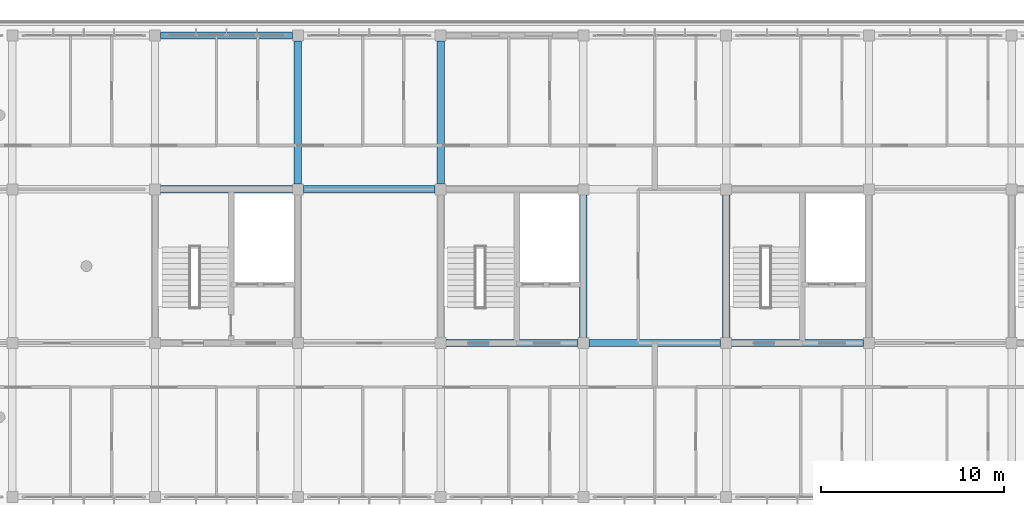
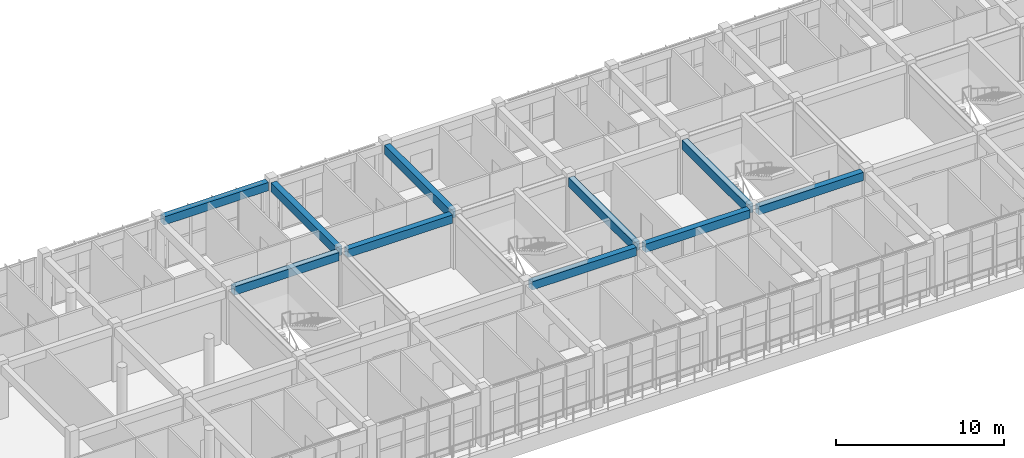
# One storey, part 16 of 56: 10 beams.
"""IFC4 building model written with IfcOpenShell, lengths in metres."""

from ifc_helpers import new_model, si_unit, direction, frame, origin, origin_2d, place, context, subcontext, project, spatial, rectangle, extrude, material, material_profile, profile_set, type_object, element, save


model = new_model("IFC4")

# Units and contexts
model_context = context("Model", 3, precision=1e-05, world=origin(), true_north=direction((0.0, 1.0)))
body_context = subcontext(model_context, "Body", "Model", "MODEL_VIEW")
ifc_project = project(units=[si_unit("LENGTHUNIT", "METRE"), si_unit("AREAUNIT", "SQUARE_METRE"), si_unit("VOLUMEUNIT", "CUBIC_METRE"), si_unit("PLANEANGLEUNIT", "RADIAN"), si_unit("MASSUNIT", "GRAM", prefix="KILO")], contexts=[model_context])

# Site, building, storey
site_placement = place(None, origin())
site = spatial("IfcSite", under=ifc_project, at=site_placement, CompositionType="ELEMENT")
building_placement = place(site_placement, origin())
building = spatial("IfcBuilding", under=site, at=building_placement, Name="Zizhar Promenade General Hospital", CompositionType="ELEMENT")
storey_placement = place(building_placement, frame((0.0, 0.0, 26.39990234375)))
storey = spatial("IfcBuildingStorey", under=building, at=storey_placement, Name="L06", CompositionType="ELEMENT", Elevation=26.39990234375)

# Beams
ifc_material_1 = material(Name="Concrete C35/45", Category="concrete")
ifc_material_profile_1 = material_profile(ifc_material_1, rectangle(XDim=0.39990234375, YDim=0.60009765625, at=origin_2d()))
ifc_profile_set_1 = profile_set([ifc_material_profile_1], Name="Concrete C35/45")
beam_type_1 = type_object("IfcBeamType", Name="BM-RC-400x600", PredefinedType="JOIST", material=ifc_profile_set_1)
for number, where, z_axis, x_axis, name in (
    (1, (47.10009765625, 16.800048828125, 3.610107421875), (1.0, 0.0, 0.0), (0.0, 1.0, 0.0), "Grid Beam X L06 (6-2)"),
    (2, (47.10009765625, 25.199951171875, 3.610107421875), (1.0, 0.0, 0.0), (0.0, 1.0, 0.0), "Grid Beam X L06 (6-3)"),
):
    element("IfcBeam", number, at=place(storey_placement, frame(where, z_axis=z_axis, x_axis=x_axis)), inside=storey, type_object=beam_type_1, Name=name, PredefinedType="JOIST", context=body_context, shape_type="SweptSolid", body=[
        extrude(rectangle(XDim=0.39990234375, YDim=0.60009765625, at=origin_2d()), origin(), (0.0, 0.0, 1.0), 7.199951171875),
    ])
beam_placement = place(storey_placement, frame((54.89990234375, 16.800048828125, 3.610107421875), z_axis=(1.0, 0.0, 0.0), x_axis=(0.0, 1.0, 0.0)))
element("IfcBeam", 3, at=beam_placement, inside=storey, type_object=beam_type_1, Name="Grid Beam X L06 (7-2)", PredefinedType="JOIST", context=body_context, shape_type="SweptSolid", body=[
    extrude(rectangle(XDim=0.39990234375, YDim=0.60009765625, at=origin_2d()), origin(), (0.0, 0.0, 1.0), 7.2001953125),
])
for number, where, z_axis, x_axis, name in (
    (4, (62.699951171875, 8.39990234375, 3.610107421875), (1.0, 0.0, 0.0), (0.0, 1.0, 0.0), "Grid Beam X L06 (8-1)"),
    (5, (70.5, 8.39990234375, 3.610107421875), (1.0, 0.0, 0.0), (0.0, 1.0, 0.0), "Grid Beam X L06 (9-1)"),
    (6, (78.300048828125, 8.39990234375, 3.610107421875), (1.0, 0.0, 0.0), (0.0, 1.0, 0.0), "Grid Beam X L06 (10-1)"),
):
    element("IfcBeam", number, at=place(storey_placement, frame(where, z_axis=z_axis, x_axis=x_axis)), inside=storey, type_object=beam_type_1, Name=name, PredefinedType="JOIST", context=body_context, shape_type="SweptSolid", body=[
        extrude(rectangle(XDim=0.39990234375, YDim=0.60009765625, at=origin_2d()), origin(), (0.0, 0.0, 1.0), 7.199951171875),
    ])
ifc_material_2 = material(Name="Concrete C35/45", Category="concrete")
ifc_material_profile_2 = material_profile(ifc_material_2, rectangle(XDim=0.39990234375, YDim=0.64990234375, at=origin_2d()))
ifc_profile_set_2 = profile_set([ifc_material_profile_2], Name="Concrete C35/45")
beam_type_2 = type_object("IfcBeamType", Name="BM-RC-400x650", PredefinedType="BEAM", material=ifc_profile_set_2)
for number, where, z_axis, x_axis, name in (
    (7, (54.60009765625, 17.10009765625, 3.585205078125), (0.0, 1.0, 0.0), (-1.0, 0.0, 0.0), "Grid Beam Y L06 (7-2)"),
    (8, (62.39990234375, 17.10009765625, 3.585205078125), (0.0, 1.0, 0.0), (-1.0, 0.0, 0.0), "Grid Beam Y L06 (8-2)"),
):
    element("IfcBeam", number, at=place(storey_placement, frame(where, z_axis=z_axis, x_axis=x_axis)), inside=storey, type_object=beam_type_2, Name=name, PredefinedType="BEAM", context=body_context, shape_type="SweptSolid", body=[
        extrude(rectangle(XDim=0.39990234375, YDim=0.64990234375, at=origin_2d()), origin(), (0.0, 0.0, 1.0), 7.7998046875),
    ])
for number, where, z_axis, x_axis, name in (
    (9, (70.199951171875, 8.699951171875, 3.585205078125), (0.0, 1.0, 0.0), (-1.0, 0.0, 0.0), "Grid Beam Y L06 (9-1)"),
    (10, (78.0, 8.699951171875, 3.585205078125), (0.0, 1.0, 0.0), (-1.0, 0.0, 0.0), "Grid Beam Y L06 (10-1)"),
):
    element("IfcBeam", number, at=place(storey_placement, frame(where, z_axis=z_axis, x_axis=x_axis)), inside=storey, type_object=beam_type_2, Name=name, PredefinedType="BEAM", context=body_context, shape_type="SweptSolid", body=[
        extrude(rectangle(XDim=0.39990234375, YDim=0.64990234375, at=origin_2d()), origin(), (0.0, 0.0, 1.0), 7.800048828125),
    ])

save(model, "model.ifc")
